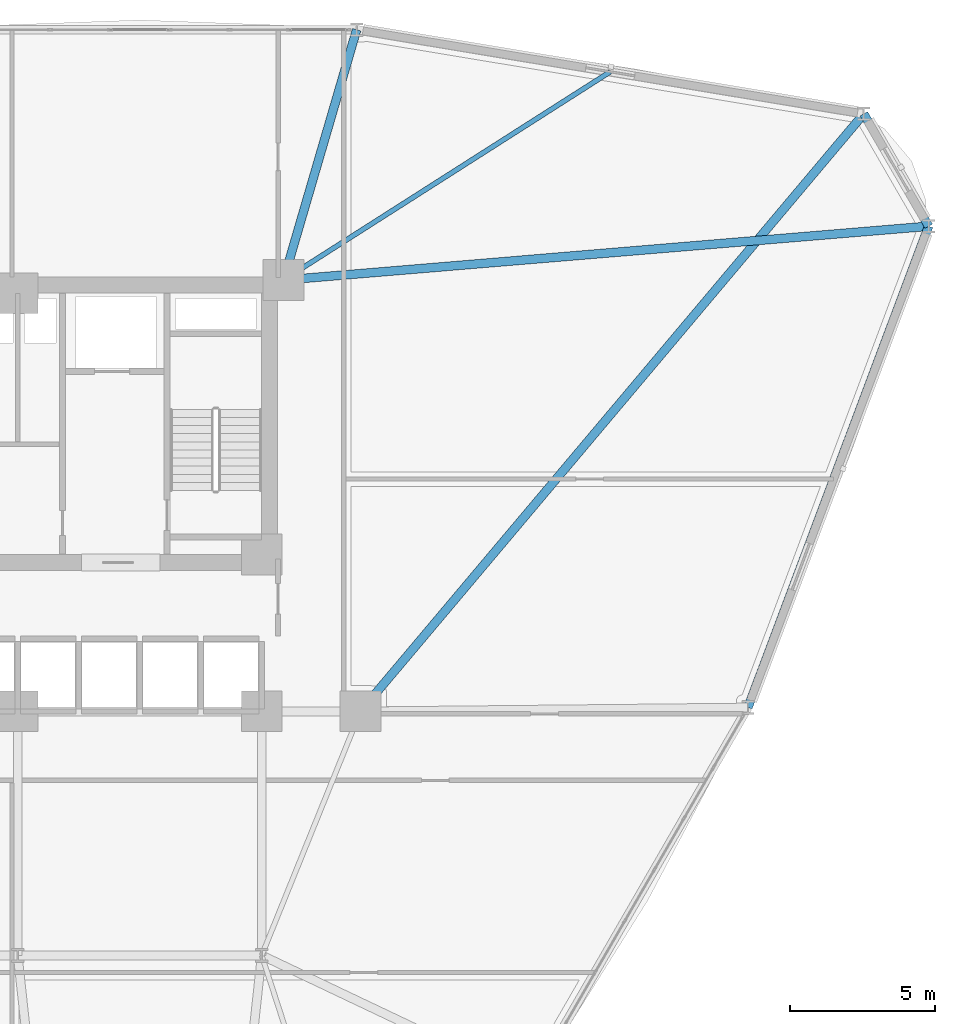
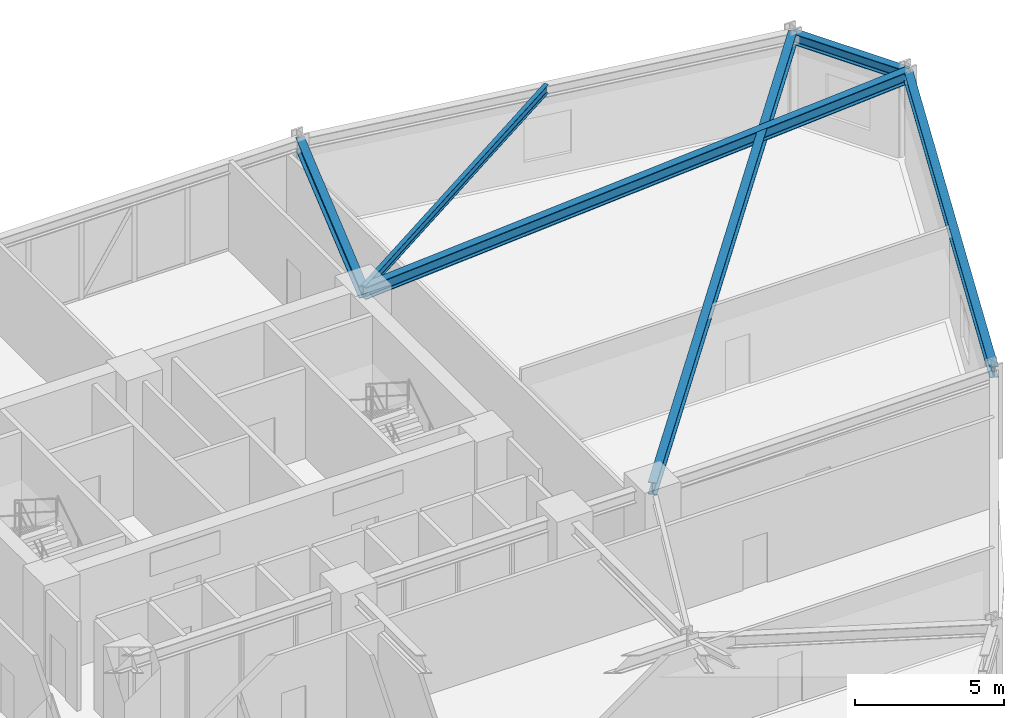
# One storey, part 11 of 20: 6 beams.
"""IFC4 building model written with IfcOpenShell, lengths in metres."""

from ifc_helpers import new_model, si_unit, derived_unit, direction, frame, origin, origin_2d, place, context, subcontext, project, spatial, i_section, extrude, source, transform, mapped, material, material_profile, profile_set, type_object, element, save


model = new_model("IFC4")

# Units and contexts
model_context = context("Model", 3, precision=1e-05, world=origin(), true_north=direction((0.0, 1.0)))
body_context = subcontext(model_context, "Body", "Model", "MODEL_VIEW")
ifc_project = project(units=[si_unit("LENGTHUNIT", "METRE"), si_unit("AREAUNIT", "SQUARE_METRE"), si_unit("VOLUMEUNIT", "CUBIC_METRE"), si_unit("PLANEANGLEUNIT", "RADIAN"), si_unit("MASSUNIT", "GRAM", prefix="KILO"), derived_unit("THERMALTRANSMITTANCEUNIT", [(si_unit("POWERUNIT", "WATT"), 1), (si_unit("LENGTHUNIT", "METRE"), -2), (si_unit("THERMODYNAMICTEMPERATUREUNIT", "KELVIN"), -1)])], contexts=[model_context])

# Site, building, storey
site_placement = place(None, origin())
site = spatial("IfcSite", under=ifc_project, at=site_placement, CompositionType="ELEMENT")
building_placement = place(site_placement, origin())
building = spatial("IfcBuilding", under=site, at=building_placement, Name="Korsvarv Bourse and Concert Hall", CompositionType="ELEMENT")
storey_placement = place(building_placement, frame((0.0, 0.0, 75.60009765625)))
storey = spatial("IfcBuildingStorey", under=building, at=storey_placement, Name="L18", CompositionType="ELEMENT", Elevation=75.60009765625)

# Beams
ifc_material = material(Name="Steel S355", Category="steel")
ifc_material_profile_1 = material_profile(ifc_material, i_section(OverallWidth=0.300048828125, OverallDepth=0.449951171875, WebThickness=0.013916015625, FlangeThickness=0.02587890625, FilletRadius=0.02099609375, at=origin_2d()), Name="HEB 450")
ifc_profile_set_1 = profile_set([ifc_material_profile_1], Name="Steel S355")
beam_type_1 = type_object("IfcBeamType", Name="BM-HEB450", PredefinedType="SPANDREL", material=ifc_profile_set_1)
shared_shape_1 = source(origin(), body_context, "Body", "SweptSolid", [
    extrude(i_section(OverallWidth=0.300048828125, OverallDepth=0.449951171875, WebThickness=0.013916015625, FlangeThickness=0.02587890625, FilletRadius=0.02099609375, at=origin_2d()), origin(), (0.0, 0.0, 1.0), 4.468505859375),
])
beam_1_placement = place(storey_placement, frame((67.3623046875, 49.102294921875, 3.454833984375), z_axis=(-0.500040905051, 0.866001785954, 0.0), x_axis=(-0.866001785954, -0.500040905051, 0.0)))
element("IfcBeam", 1, at=beam_1_placement, inside=storey, type_object=beam_type_1, Name="L18 beam B-08", PredefinedType="SPANDREL", context=body_context, shape_type="MappedRepresentation", body=[
    mapped(shared_shape_1, transform((0.0, 0.0, 0.0), scale=1.0)),
])
shared_shape_2 = source(origin(), body_context, "Body", "SweptSolid", [
    extrude(i_section(OverallWidth=0.300048828125, OverallDepth=0.449951171875, WebThickness=0.013916015625, FlangeThickness=0.02587890625, FilletRadius=0.02099609375, at=origin_2d()), origin(), (0.0, 0.0, 1.0), 17.69775390625),
])
beam_2_placement = place(storey_placement, frame((61.140380859375, 32.5341796875, 3.454833984375), z_axis=(0.351563328241, 0.936164102194, 0.0), x_axis=(-0.936164102194, 0.351563328241, 0.0)))
element("IfcBeam", 2, at=beam_2_placement, inside=storey, type_object=beam_type_1, Name="L18 beam B-08", PredefinedType="SPANDREL", context=body_context, shape_type="MappedRepresentation", body=[
    mapped(shared_shape_2, transform((0.0, 0.0, 0.0), scale=1.0)),
])
ifc_material_profile_2 = material_profile(ifc_material, i_section(OverallWidth=0.300048828125, OverallDepth=0.5, WebThickness=0.014404296875, FlangeThickness=0.028076171875, FilletRadius=0.02392578125, at=origin_2d()), Name="HEB 500")
ifc_profile_set_2 = profile_set([ifc_material_profile_2], Name="Steel S355")
beam_type_2 = type_object("IfcBeamType", Name="BM-HEB500", PredefinedType="BEAM", material=ifc_profile_set_2)
shared_shape_3 = source(origin(), body_context, "Body", "SweptSolid", [
    extrude(i_section(OverallWidth=0.300048828125, OverallDepth=0.5, WebThickness=0.014404296875, FlangeThickness=0.028076171875, FilletRadius=0.02392578125, at=origin_2d()), origin(), (0.0, 0.0, 1.0), 22.28955078125),
])
beam_3_placement = place(storey_placement, frame((67.3623046875, 49.102294921875, 3.429931640625), z_axis=(-0.996541073237, -0.083101680801, 0.0), x_axis=(0.083101680801, -0.996541073237, 0.0)))
element("IfcBeam", 3, at=beam_3_placement, inside=storey, type_object=beam_type_2, Name="L18 beam B-07", PredefinedType="BEAM", context=body_context, shape_type="MappedRepresentation", body=[
    mapped(shared_shape_3, transform((0.0, 0.0, 0.0), scale=1.0)),
])
shared_shape_4 = source(origin(), body_context, "Body", "SweptSolid", [
    extrude(i_section(OverallWidth=0.300048828125, OverallDepth=0.5, WebThickness=0.014404296875, FlangeThickness=0.028076171875, FilletRadius=0.02392578125, at=origin_2d()), origin(), (0.0, 0.0, 1.0), 26.897216796875),
])
beam_4_placement = place(storey_placement, frame((65.1279296875, 52.971923828125, 3.429931640625), z_axis=(-0.644224346706, -0.764836578042, 0.0), x_axis=(0.764836578042, -0.644224346706, 0.0)))
element("IfcBeam", 4, at=beam_4_placement, inside=storey, type_object=beam_type_2, Name="L18 beam B-07", PredefinedType="BEAM", context=body_context, shape_type="MappedRepresentation", body=[
    mapped(shared_shape_4, transform((0.0, 0.0, 0.0), scale=1.0)),
])
shared_shape_5 = source(origin(), body_context, "Body", "SweptSolid", [
    extrude(i_section(OverallWidth=0.300048828125, OverallDepth=0.5, WebThickness=0.014404296875, FlangeThickness=0.028076171875, FilletRadius=0.02392578125, at=origin_2d()), origin(), (0.0, 0.0, 1.0), 8.978271484375),
])
beam_5_placement = place(storey_placement, frame((47.668701171875, 55.86767578125, 3.429931640625), z_axis=(-0.280545023093, -0.959840867028, 0.0), x_axis=(0.959840867028, -0.280545023093, 0.0)))
element("IfcBeam", 5, at=beam_5_placement, inside=storey, type_object=beam_type_2, Name="L18 beam B-07", PredefinedType="BEAM", context=body_context, shape_type="MappedRepresentation", body=[
    mapped(shared_shape_5, transform((0.0, 0.0, 0.0), scale=1.0)),
])
ifc_material_profile_3 = material_profile(ifc_material, i_section(OverallWidth=0.169921875, OverallDepth=0.360107421875, WebThickness=0.008056640625, FlangeThickness=0.0126953125, FilletRadius=0.01806640625, at=origin_2d()), Name="IPE 360")
ifc_profile_set_3 = profile_set([ifc_material_profile_3], Name="Steel S355")
beam_type_3 = type_object("IfcBeamType", Name="BM-IPE360", PredefinedType="JOIST", material=ifc_profile_set_3)
shared_shape_6 = source(origin(), body_context, "Body", "SweptSolid", [
    extrude(i_section(OverallWidth=0.169921875, OverallDepth=0.360107421875, WebThickness=0.008056640625, FlangeThickness=0.0126953125, FilletRadius=0.01806640625, at=origin_2d()), origin(), (0.0, 0.0, 1.0), 13.33935546875),
])
beam_6_placement = place(storey_placement, frame((56.3984375, 54.419921875, 3.5), z_axis=(-0.84326183268, -0.53750300608, 0.0), x_axis=(0.53750300608, -0.84326183268, 0.0)))
element("IfcBeam", 6, at=beam_6_placement, inside=storey, type_object=beam_type_3, Name="L18 beam J-06", PredefinedType="JOIST", context=body_context, shape_type="MappedRepresentation", body=[
    mapped(shared_shape_6, transform((0.0, 0.0, 0.0), scale=1.0)),
])

save(model, "model.ifc")
